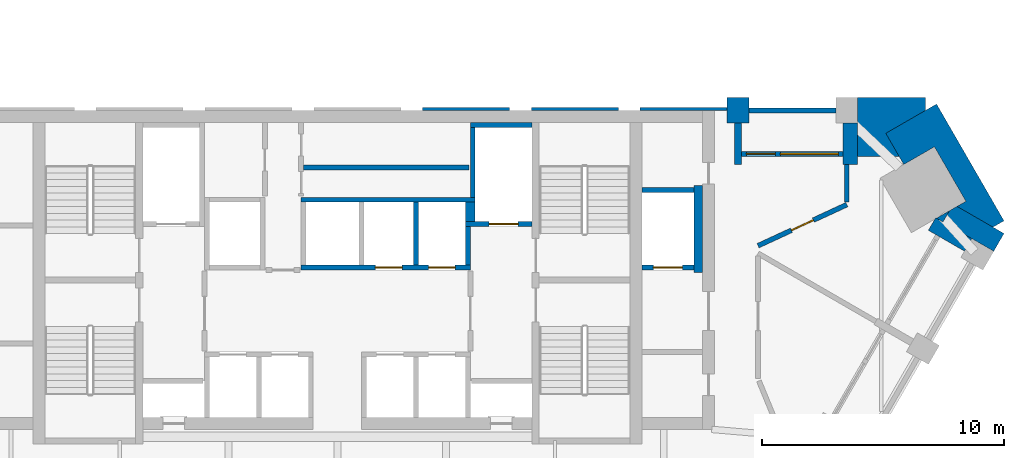
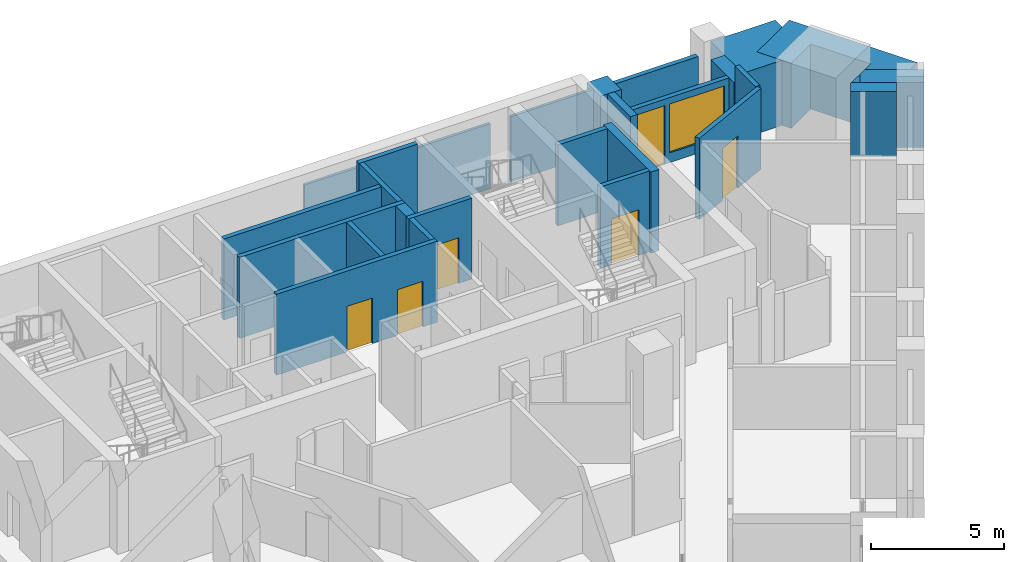
# One storey, part 8 of 10: 27 walls, 6 doors, 1 window, 7 openings.
"""IFC4 building model written with IfcOpenShell, lengths in metres."""

from ifc_helpers import new_model, si_unit, direction, frame, frame_2d, origin, place, context, subcontext, project, spatial, polyline, rectangle, outline, extrude, material, layer, layer_set, type_object, element, fill, save


model = new_model("IFC4")

# Units and contexts
model_context = context("Model", 3, precision=1e-05, world=origin(), true_north=direction((0.0, 1.0)))
body_context = subcontext(model_context, "Body", "Model", "MODEL_VIEW")
ifc_project = project(units=[si_unit("LENGTHUNIT", "METRE"), si_unit("AREAUNIT", "SQUARE_METRE"), si_unit("VOLUMEUNIT", "CUBIC_METRE"), si_unit("PLANEANGLEUNIT", "RADIAN"), si_unit("MASSUNIT", "GRAM", prefix="KILO")], contexts=[model_context])

# Site, building, storey
site_placement = place(None, origin())
site = spatial("IfcSite", under=ifc_project, at=site_placement, CompositionType="ELEMENT")
building_placement = place(site_placement, origin())
building = spatial("IfcBuilding", under=site, at=building_placement, Name="Calabash Gate Tower", CompositionType="ELEMENT")
storey_placement = place(building_placement, frame((0.0, 0.0, 187.5)))
storey = spatial("IfcBuildingStorey", under=building, at=storey_placement, Name="L44", CompositionType="ELEMENT", Elevation=187.5)

# Walls
ifc_material_1 = material(Name="Terracotta brick masonry, exposed face", Category="masonry")
ifc_layer_1 = layer(ifc_material_1, 2.425048828125)
ifc_layer_set_1 = layer_set([ifc_layer_1], Name="Brick corner mass wall 2425")
wall_type_1 = type_object("IfcWallType", Name="Brick corner mass wall 2425", PredefinedType="SOLIDWALL", material=ifc_layer_set_1)
wall_1_placement = place(storey_placement, origin())
element("IfcWall", 1, at=wall_1_placement, inside=storey, type_object=wall_type_1, Name="Brick corner pier S12 3a", PredefinedType="SOLIDWALL", context=body_context, shape_type="SweptSolid", body=[
    extrude(outline(polyline([(25.05126953125, 14.434326171875), (27.1513671875, 13.221923828125), (27.576171875, 13.957763671875), (25.63134765625, 15.08056640625), (25.32080078125, 14.9013671875), (25.05126953125, 14.434326171875)])), origin(), (0.0, 0.0, 1.0), 3.0),
])
wall_2_placement = place(storey_placement, origin())
element("IfcWall", 2, at=wall_2_placement, inside=storey, type_object=wall_type_1, Name="Brick corner pier S12 3ba", PredefinedType="SOLIDWALL", context=body_context, shape_type="SweptSolid", body=[
    extrude(outline(polyline([(25.05126953125, 14.434326171875), (25.32080078125, 14.9013671875), (24.78173828125, 14.590087890625), (25.05126953125, 14.434326171875)])), origin(), (0.0, 0.0, 1.0), 3.0),
])
wall_3_placement = place(storey_placement, origin())
element("IfcWall", 3, at=wall_3_placement, inside=storey, type_object=wall_type_1, Name="Brick corner pier S12 3bb", PredefinedType="SOLIDWALL", context=body_context, shape_type="SweptSolid", body=[
    extrude(outline(polyline([(23.430908203125, 16.8125), (24.69775390625, 17.5439453125), (25.997802734375, 15.292236328125), (25.63134765625, 15.08056640625), (27.12158203125, 14.22021484375), (27.576171875, 14.482666015625), (24.786376953125, 19.31494140625), (22.68603515625, 18.1025390625), (23.430908203125, 16.8125)])), origin(), (0.0, 0.0, 1.0), 3.0),
])
wall_4_placement = place(storey_placement, origin())
element("IfcWall", 4, at=wall_4_placement, inside=storey, type_object=wall_type_1, Name="Brick corner pier S12 3c", PredefinedType="SOLIDWALL", context=body_context, shape_type="SweptSolid", body=[
    extrude(outline(polyline([(21.521728515625, 18.528076171875), (21.521728515625, 17.152587890625), (23.234619140625, 17.152587890625), (22.68603515625, 18.1025390625), (24.33154296875, 19.052490234375), (24.33154296875, 19.57763671875), (21.52197265625, 19.57763671875), (21.52197265625, 18.528076171875), (21.521728515625, 18.528076171875)])), origin(), (0.0, 0.0, 1.0), 3.0),
])
ifc_material_2 = material(Name="Terracotta brick masonry, exposed face", Category="masonry")
ifc_layer_2 = layer(ifc_material_2, 1.050048828125)
ifc_layer_set_2 = layer_set([ifc_layer_2], Name="Brick end wall 1050")
wall_type_2 = type_object("IfcWallType", Name="Brick end wall 1050", PredefinedType="SOLIDWALL", material=ifc_layer_set_2)
wall_5_placement = place(storey_placement, origin())
element("IfcWall", 5, at=wall_5_placement, inside=storey, type_object=wall_type_2, Name="Brick pier S12 N6.1", PredefinedType="SOLIDWALL", context=body_context, shape_type="SweptSolid", body=[
    extrude(outline(polyline([(17.021728515625, 19.57763671875), (16.121826171875, 19.57763671875), (16.121826171875, 18.527587890625), (17.021728515625, 18.527587890625), (17.021728515625, 19.57763671875)])), origin(), (0.0, 0.0, 1.0), 3.0),
])
ifc_material_3 = material(Name="Terracotta brick masonry, exposed face", Category="masonry")
ifc_layer_3 = layer(ifc_material_3, 0.300048828125)
ifc_layer_set_3 = layer_set([ifc_layer_3], Name="Brick loggia cheek wall 300")
wall_type_3 = type_object("IfcWallType", Name="Brick loggia cheek wall 300", PredefinedType="SOLIDWALL", material=ifc_layer_set_3)
wall_6_placement = place(storey_placement, frame((26.09130859375, 13.487548828125, 0.0), z_axis=(0.0, 0.0, 1.0), x_axis=(-0.866029956157, 0.499992114976, 0.0)))
element("IfcWall", 6, at=wall_6_placement, inside=storey, type_object=wall_type_3, Name="Loggia cheek S12 SE4.8", PredefinedType="SOLIDWALL", context=body_context, shape_type="SweptSolid", body=[
    extrude(rectangle(XDim=1.72412109375, YDim=0.60009765625, at=frame_2d((0.862060546875, 0.0))), origin(), (0.0, 0.0, 1.0), 3.0),
])
wall_7_placement = place(storey_placement, origin())
element("IfcWall", 7, at=wall_7_placement, inside=storey, type_object=wall_type_3, Name="Loggia cheek S12 N6.0", PredefinedType="SOLIDWALL", context=body_context, shape_type="SweptSolid", body=[
    extrude(outline(polyline([(21.521728515625, 16.802490234375), (21.521728515625, 18.527587890625), (20.921875, 18.527587890625), (20.921875, 16.802490234375), (21.521728515625, 16.802490234375)])), origin(), (0.0, 0.0, 1.0), 3.0),
])
wall_8_placement = place(storey_placement, origin())
element("IfcWall", 8, at=wall_8_placement, inside=storey, type_object=wall_type_3, Name="Loggia cheek S12 N6.1", PredefinedType="SOLIDWALL", context=body_context, shape_type="SweptSolid", body=[
    extrude(outline(polyline([(16.421875, 18.527587890625), (16.421875, 16.802490234375), (16.721923828125, 16.802490234375), (16.721923828125, 18.527587890625), (16.421875, 18.527587890625)])), origin(), (0.0, 0.0, 1.0), 3.0),
])

# Wall, opening, door
ifc_material_4 = material(Name="Gypsum board on steel studs, mineral wool", Category="steel")
ifc_layer_4 = layer(ifc_material_4, 0.199951171875)
ifc_layer_set_4 = layer_set([ifc_layer_4], Name="Partition 200 gypsum board EI 60")
wall_type_4 = type_object("IfcWallType", Name="Partition 200 gypsum board EI 60", PredefinedType="PARTITIONING", material=ifc_layer_set_4)
wall_9_placement = place(storey_placement, frame((17.400390625, 13.4521484375, 0.0), z_axis=(0.0, 0.0, 1.0), x_axis=(0.907455404493, 0.420148412892, 0.0)))
wall_9 = element("IfcWall", 9, at=wall_9_placement, inside=storey, type_object=wall_type_4, Name="Partition", PredefinedType="PARTITIONING", context=body_context, shape_type="SweptSolid", body=[
    extrude(rectangle(XDim=4.046142578125, YDim=0.199951171875, at=frame_2d((2.02294921875, 0.0))), origin(), (0.0, 0.0, 1.0), 3.72998046875),
])
opening_1_placement = place(wall_9_placement, frame((1.52294921875, 0.0, 0.0)))
opening_1 = element("IfcOpeningElement", 10, at=opening_1_placement, cuts=wall_9, Name="Opening 42-44-010", PredefinedType="OPENING", context=body_context, shape_type="SweptSolid", body=[
    extrude(rectangle(XDim=1.0, YDim=2.39990234375, at=frame_2d((0.5, 1.199951171875))), frame((0.0, 0.10986328125, 0.0), z_axis=(0.0, -1.0, 0.0), x_axis=(1.0, 0.0, 0.0)), (0.0, 0.0, 1.0), 0.219970703125),
])
ifc_material_5 = material(Name="Painted timber door", Category="wood")
door_type_1 = type_object("IfcDoorType", Name="OD2 Glazed office door 1000x2400", OperationType="NOTDEFINED", PredefinedType="DOOR", material=ifc_material_5)
door_1_placement = place(opening_1_placement, origin())
door_1 = element("IfcDoor", 11, at=door_1_placement, inside=storey, type_object=door_type_1, Name="Glazed office door", OperationType="SINGLE_SWING_LEFT", OverallHeight=2.39990234375, OverallWidth=1.0, PredefinedType="DOOR", context=body_context, shape_type="SweptSolid", body=[
    extrude(rectangle(XDim=1.0, YDim=2.39990234375, at=frame_2d((0.5, 1.199951171875))), frame((0.0, 0.02490234375, 0.0), z_axis=(0.0, -1.0, 0.0), x_axis=(1.0, 0.0, 0.0)), (0.0, 0.0, 1.0), 0.050048828125),
])
fill(opening_1, door_1)

# Walls
wall_10_placement = place(storey_placement, frame((21.072021484375, 15.252197265625, 0.0), z_axis=(0.0, 0.0, 1.0), x_axis=(0.000314960614, 0.9999999504, 0.0)))
element("IfcWall", 12, at=wall_10_placement, inside=storey, type_object=wall_type_4, Name="Partition", PredefinedType="PARTITIONING", context=body_context, shape_type="SweptSolid", body=[
    extrude(rectangle(XDim=1.55029296875, YDim=0.199951171875, at=frame_2d((0.775146484375, 0.0))), origin(), (0.0, 0.0, 1.0), 3.72998046875),
])
ifc_material_6 = material(Name="Concrete C40/50", Category="concrete")
ifc_layer_5 = layer(ifc_material_6, 0.199951171875)
ifc_layer_set_5 = layer_set([ifc_layer_5], Name="Shaft wall 200 Concrete C40/50")
wall_type_5 = type_object("IfcWallType", Name="Shaft wall 200 Concrete C40/50", PredefinedType="SOLIDWALL", material=ifc_layer_set_5)
wall_11_placement = place(storey_placement, frame((14.925048828125, 12.3525390625, 0.0), z_axis=(0.0, 0.0, 1.0), x_axis=(0.0, 1.0, 0.0)))
element("IfcWall", 13, at=wall_11_placement, inside=storey, type_object=wall_type_5, Name="Shaft wall", PredefinedType="SOLIDWALL", context=body_context, shape_type="SweptSolid", body=[
    extrude(rectangle(XDim=3.60009765625, YDim=0.35009765625, at=frame_2d((1.800048828125, 0.0))), origin(), (0.0, 0.0, 1.0), 3.72998046875),
])

# Wall, openings, doors
wall_12_placement = place(storey_placement, frame((-1.5, 12.552490234375, 0.0), z_axis=(0.0, 0.0, 1.0), x_axis=(1.0, 0.0, 0.0)))
wall_12 = element("IfcWall", 14, at=wall_12_placement, inside=storey, type_object=wall_type_5, Name="Shaft wall", PredefinedType="SOLIDWALL", context=body_context, shape_type="SweptSolid", body=[
    extrude(rectangle(XDim=7.0, YDim=0.199951171875, at=frame_2d((3.5, 0.0))), origin(), (0.0, 0.0, 1.0), 3.72998046875),
])
opening_2_placement = place(wall_12_placement, frame((3.074951171875, 0.0, 0.0)))
opening_2 = element("IfcOpeningElement", 15, at=opening_2_placement, cuts=wall_12, Name="Opening LD-HR5", PredefinedType="OPENING", context=body_context, shape_type="SweptSolid", body=[
    extrude(rectangle(XDim=1.10009765625, YDim=2.10009765625, at=frame_2d((0.550048828125, 1.050048828125))), frame((0.0, 0.10986328125, 0.0), z_axis=(0.0, -1.0, 0.0), x_axis=(1.0, 0.0, 0.0)), (0.0, 0.0, 1.0), 0.219970703125),
])
opening_3_placement = place(wall_12_placement, frame((5.27490234375, 0.0, 0.0)))
opening_3 = element("IfcOpeningElement", 16, at=opening_3_placement, cuts=wall_12, Name="Opening LD-HR6", PredefinedType="OPENING", context=body_context, shape_type="SweptSolid", body=[
    extrude(rectangle(XDim=1.10009765625, YDim=2.10009765625, at=frame_2d((0.550048828125, 1.050048828125))), frame((0.0, 0.10986328125, 0.0), z_axis=(0.0, -1.0, 0.0), x_axis=(1.0, 0.0, 0.0)), (0.0, 0.0, 1.0), 0.219970703125),
])
ifc_material_7 = material(Name="Stainless steel sliding door leaves", Category="steel")
door_type_2 = type_object("IfcDoorType", Name="Lift landing door LS1 1100x2100 FD90", OperationType="DOUBLE_DOOR_SLIDING", PredefinedType="DOOR", material=ifc_material_7)
door_2_placement = place(opening_2_placement, origin())
door_2 = element("IfcDoor", 17, at=door_2_placement, inside=storey, type_object=door_type_2, Name="Lift landing door HR5", OperationType="DOUBLE_DOOR_SLIDING", OverallHeight=2.10009765625, OverallWidth=1.10009765625, PredefinedType="DOOR", context=body_context, shape_type="SweptSolid", body=[
    extrude(rectangle(XDim=1.10009765625, YDim=2.10009765625, at=frame_2d((0.550048828125, 1.050048828125))), frame((0.0, 0.02490234375, 0.0), z_axis=(0.0, -1.0, 0.0), x_axis=(1.0, 0.0, 0.0)), (0.0, 0.0, 1.0), 0.050048828125),
])
fill(opening_2, door_2)
door_3_placement = place(opening_3_placement, origin())
door_3 = element("IfcDoor", 18, at=door_3_placement, inside=storey, type_object=door_type_2, Name="Lift landing door HR6", OperationType="DOUBLE_DOOR_SLIDING", OverallHeight=2.10009765625, OverallWidth=1.10009765625, PredefinedType="DOOR", context=body_context, shape_type="SweptSolid", body=[
    extrude(rectangle(XDim=1.10009765625, YDim=2.10009765625, at=frame_2d((0.550048828125, 1.050048828125))), frame((0.0, 0.02490234375, 0.0), z_axis=(0.0, -1.0, 0.0), x_axis=(1.0, 0.0, 0.0)), (0.0, 0.0, 1.0), 0.050048828125),
])
fill(opening_3, door_3)

# Wall, opening, door
wall_13_placement = place(storey_placement, frame((12.60009765625, 12.552490234375, 0.0), z_axis=(0.0, 0.0, 1.0), x_axis=(1.0, 0.0, 0.0)))
wall_13 = element("IfcWall", 19, at=wall_13_placement, inside=storey, type_object=wall_type_5, Name="Shaft wall", PredefinedType="SOLIDWALL", context=body_context, shape_type="SweptSolid", body=[
    extrude(rectangle(XDim=2.14990234375, YDim=0.199951171875, at=frame_2d((1.074951171875, 0.0))), origin(), (0.0, 0.0, 1.0), 3.72998046875),
])
opening_4_placement = place(wall_13_placement, frame((0.47509765625, 0.0, 0.0)))
opening_4 = element("IfcOpeningElement", 20, at=opening_4_placement, cuts=wall_13, Name="Opening LD-SL1", PredefinedType="OPENING", context=body_context, shape_type="SweptSolid", body=[
    extrude(rectangle(XDim=1.199951171875, YDim=2.10009765625, at=frame_2d((0.60009765625, 1.050048828125))), frame((0.0, 0.10986328125, 0.0), z_axis=(0.0, -1.0, 0.0), x_axis=(1.0, 0.0, 0.0)), (0.0, 0.0, 1.0), 0.219970703125),
])
ifc_material_8 = material(Name="Stainless steel sliding door leaves", Category="steel")
door_type_3 = type_object("IfcDoorType", Name="Lift landing door LS3 1200x2100 FD90", OperationType="DOUBLE_DOOR_SLIDING", PredefinedType="DOOR", material=ifc_material_8)
door_4_placement = place(opening_4_placement, origin())
door_4 = element("IfcDoor", 21, at=door_4_placement, inside=storey, type_object=door_type_3, Name="Lift landing door SL1", OperationType="DOUBLE_DOOR_SLIDING", OverallHeight=2.10009765625, OverallWidth=1.199951171875, PredefinedType="DOOR", context=body_context, shape_type="SweptSolid", body=[
    extrude(rectangle(XDim=1.199951171875, YDim=2.10009765625, at=frame_2d((0.60009765625, 1.050048828125))), frame((0.0, 0.02490234375, 0.0), z_axis=(0.0, -1.0, 0.0), x_axis=(1.0, 0.0, 0.0)), (0.0, 0.0, 1.0), 0.050048828125),
])
fill(opening_4, door_4)

# Walls
wall_14_placement = place(storey_placement, frame((3.25, 12.652587890625, 0.0), z_axis=(0.0, 0.0, 1.0), x_axis=(0.0, 1.0, 0.0)))
element("IfcWall", 22, at=wall_14_placement, inside=storey, type_object=wall_type_5, Name="Shaft wall", PredefinedType="SOLIDWALL", context=body_context, shape_type="SweptSolid", body=[
    extrude(rectangle(XDim=2.60009765625, YDim=0.199951171875, at=frame_2d((1.300048828125, 0.0))), origin(), (0.0, 0.0, 1.0), 3.72998046875),
])
wall_15_placement = place(storey_placement, frame((5.39990234375, 12.652587890625, 0.0), z_axis=(0.0, 0.0, 1.0), x_axis=(0.0, 1.0, 0.0)))
element("IfcWall", 23, at=wall_15_placement, inside=storey, type_object=wall_type_5, Name="Shaft wall", PredefinedType="SOLIDWALL", context=body_context, shape_type="SweptSolid", body=[
    extrude(rectangle(XDim=1.60009765625, YDim=0.199951171875, at=frame_2d((0.800048828125, 0.0))), origin(), (0.0, 0.0, 1.0), 3.72998046875),
])

# Wall, opening, door
wall_16_placement = place(storey_placement, frame((5.300048828125, 14.3525390625, 0.0), z_axis=(0.0, 0.0, 1.0), x_axis=(1.0, 0.0, 0.0)))
wall_16 = element("IfcWall", 24, at=wall_16_placement, inside=storey, type_object=wall_type_5, Name="Shaft wall", PredefinedType="SOLIDWALL", context=body_context, shape_type="SweptSolid", body=[
    extrude(rectangle(XDim=2.75, YDim=0.199951171875, at=frame_2d((1.375, 0.0))), origin(), (0.0, 0.0, 1.0), 3.72998046875),
])
opening_5_placement = place(wall_16_placement, frame((0.97509765625, 0.0, 0.0)))
opening_5 = element("IfcOpeningElement", 25, at=opening_5_placement, cuts=wall_16, Name="Opening LD-FF2", PredefinedType="OPENING", context=body_context, shape_type="SweptSolid", body=[
    extrude(rectangle(XDim=1.199951171875, YDim=2.10009765625, at=frame_2d((0.60009765625, 1.050048828125))), frame((0.0, 0.10986328125, 0.0), z_axis=(0.0, -1.0, 0.0), x_axis=(1.0, 0.0, 0.0)), (0.0, 0.0, 1.0), 0.219970703125),
])
door_5_placement = place(opening_5_placement, origin())
door_5 = element("IfcDoor", 26, at=door_5_placement, inside=storey, type_object=door_type_3, Name="Lift landing door FF2", OperationType="DOUBLE_DOOR_SLIDING", OverallHeight=2.10009765625, OverallWidth=1.199951171875, PredefinedType="DOOR", context=body_context, shape_type="SweptSolid", body=[
    extrude(rectangle(XDim=1.199951171875, YDim=2.10009765625, at=frame_2d((0.60009765625, 1.050048828125))), frame((0.0, 0.02490234375, 0.0), z_axis=(0.0, -1.0, 0.0), x_axis=(1.0, 0.0, 0.0)), (0.0, 0.0, 1.0), 0.050048828125),
])
fill(opening_5, door_5)

# Walls
wall_17_placement = place(storey_placement, frame((5.5, 14.45263671875, 0.0), z_axis=(0.0, 0.0, 1.0), x_axis=(0.0, 1.0, 0.0)))
element("IfcWall", 27, at=wall_17_placement, inside=storey, type_object=wall_type_5, Name="Shaft wall", PredefinedType="SOLIDWALL", context=body_context, shape_type="SweptSolid", body=[
    extrude(rectangle(XDim=0.800048828125, YDim=0.39990234375, at=frame_2d((0.39990234375, 0.0))), origin(), (0.0, 0.0, 1.0), 3.72998046875),
])
wall_18_placement = place(storey_placement, frame((-1.5, 15.3525390625, 0.0), z_axis=(0.0, 0.0, 1.0), x_axis=(1.0, 0.0, 0.0)))
element("IfcWall", 28, at=wall_18_placement, inside=storey, type_object=wall_type_5, Name="Shaft wall", PredefinedType="SOLIDWALL", context=body_context, shape_type="SweptSolid", body=[
    extrude(rectangle(XDim=7.199951171875, YDim=0.199951171875, at=frame_2d((3.60009765625, 0.0))), origin(), (0.0, 0.0, 1.0), 3.72998046875),
])
wall_19_placement = place(storey_placement, frame((5.60009765625, 15.45263671875, 0.0), z_axis=(0.0, 0.0, 1.0), x_axis=(0.0, 1.0, 0.0)))
element("IfcWall", 29, at=wall_19_placement, inside=storey, type_object=wall_type_5, Name="Shaft wall", PredefinedType="SOLIDWALL", context=body_context, shape_type="SweptSolid", body=[
    extrude(rectangle(XDim=2.89990234375, YDim=0.199951171875, at=frame_2d((1.449951171875, 0.0))), origin(), (0.0, 0.0, 1.0), 3.72998046875),
])
wall_20_placement = place(storey_placement, frame((12.60009765625, 15.752685546875, 0.0), z_axis=(0.0, 0.0, 1.0), x_axis=(1.0, 0.0, 0.0)))
element("IfcWall", 30, at=wall_20_placement, inside=storey, type_object=wall_type_5, Name="Shaft wall", PredefinedType="SOLIDWALL", context=body_context, shape_type="SweptSolid", body=[
    extrude(rectangle(XDim=2.14990234375, YDim=0.199951171875, at=frame_2d((1.074951171875, 0.0))), origin(), (0.0, 0.0, 1.0), 3.72998046875),
])
wall_21_placement = place(storey_placement, frame((-1.39990234375, 16.692626953125, 0.0), z_axis=(0.0, 0.0, 1.0), x_axis=(1.0, 0.0, 0.0)))
element("IfcWall", 31, at=wall_21_placement, inside=storey, type_object=wall_type_5, Name="Shaft wall", PredefinedType="SOLIDWALL", context=body_context, shape_type="SweptSolid", body=[
    extrude(rectangle(XDim=6.849853515625, YDim=0.199951171875, at=frame_2d((3.4248046875, 0.0))), origin(), (0.0, 0.0, 1.0), 3.72998046875),
])
wall_22_placement = place(storey_placement, frame((5.5, 18.45263671875, 0.0), z_axis=(0.0, 0.0, 1.0), x_axis=(1.0, 0.0, 0.0)))
element("IfcWall", 32, at=wall_22_placement, inside=storey, type_object=wall_type_5, Name="Shaft wall", PredefinedType="SOLIDWALL", context=body_context, shape_type="SweptSolid", body=[
    extrude(rectangle(XDim=2.550048828125, YDim=0.199951171875, at=frame_2d((1.27490234375, 0.0))), origin(), (0.0, 0.0, 1.0), 3.72998046875),
])
ifc_material_9 = material(Name="Terracotta brick masonry, perforated", Category="masonry")
ifc_layer_6 = layer(ifc_material_9, 0.1201171875)
ifc_layer_set_6 = layer_set([ifc_layer_6], Name="Terracotta jaali cladding B 120")
wall_type_6 = type_object("IfcWallType", Name="Terracotta jaali cladding B 120", PredefinedType="SOLIDWALL", material=ifc_layer_set_6)
wall_23_placement = place(storey_placement, origin())
element("IfcWall", 33, at=wall_23_placement, inside=storey, type_object=wall_type_6, Name="Jaali cladding S12 N6.3", PredefinedType="SOLIDWALL", context=body_context, shape_type="SweptSolid", body=[
    extrude(outline(polyline([(8.021728515625, 19.172607421875), (8.021728515625, 19.052490234375), (11.621826171875, 19.052490234375), (11.621826171875, 19.172607421875), (8.021728515625, 19.172607421875)])), origin(), (0.0, 0.0, 1.0), 3.0),
])
ifc_material_10 = material(Name="Terracotta brick masonry, perforated", Category="masonry")
ifc_layer_7 = layer(ifc_material_10, 0.199951171875)
ifc_layer_set_7 = layer_set([ifc_layer_7], Name="Terracotta jaali screen B")
wall_type_7 = type_object("IfcWallType", Name="Terracotta jaali screen B", PredefinedType="SOLIDWALL", material=ifc_layer_set_7)
wall_24_placement = place(storey_placement, frame((20.621826171875, 19.052490234375, 0.0), z_axis=(0.0, 0.0, 1.0), x_axis=(-1.0, 0.0, 0.0)))
element("IfcWall", 34, at=wall_24_placement, inside=storey, type_object=wall_type_7, Name="SCREEN B S12 N6.1", PredefinedType="SOLIDWALL", context=body_context, shape_type="SweptSolid", body=[
    extrude(rectangle(XDim=3.60009765625, YDim=0.199951171875, at=frame_2d((1.800048828125, 0.0))), origin(), (0.0, 0.0, 1.0), 3.0),
])
ifc_material_11 = material(Name="Terracotta louvre blades in an aluminium frame", Category="masonry")
ifc_layer_8 = layer(ifc_material_11, 0.1201171875)
ifc_layer_set_8 = layer_set([ifc_layer_8], Name="Terracotta vent louvre cladding 120")
wall_type_8 = type_object("IfcWallType", Name="Terracotta vent louvre cladding 120", PredefinedType="ELEMENTEDWALL", material=ifc_layer_set_8)
wall_25_placement = place(storey_placement, origin())
element("IfcWall", 35, at=wall_25_placement, inside=storey, type_object=wall_type_8, Name="Vent louvre cladding S12 N6.2", PredefinedType="ELEMENTEDWALL", context=body_context, shape_type="SweptSolid", body=[
    extrude(outline(polyline([(12.521728515625, 19.172607421875), (12.521728515625, 19.052490234375), (16.121337890625, 19.052490234375), (16.121337890625, 19.172607421875), (12.521728515625, 19.172607421875)])), origin(), (0.0, 0.0, 1.0), 3.0),
])
wall_26_placement = place(storey_placement, origin())
element("IfcWall", 36, at=wall_26_placement, inside=storey, type_object=wall_type_8, Name="Vent louvre cladding S12 N6.4", PredefinedType="ELEMENTEDWALL", context=body_context, shape_type="SweptSolid", body=[
    extrude(outline(polyline([(3.521728515625, 19.172607421875), (3.521728515625, 19.052490234375), (7.121826171875, 19.052490234375), (7.121826171875, 19.172607421875), (3.521728515625, 19.172607421875)])), origin(), (0.0, 0.0, 1.0), 3.0),
])

# Wall, openings, door, window
ifc_material_12 = material(Name="Aluminium framed window wall with insulated spandrel", Category="aluminium")
ifc_layer_9 = layer(ifc_material_12, 0.199951171875)
ifc_layer_set_9 = layer_set([ifc_layer_9], Name="Window wall 200")
wall_type_9 = type_object("IfcWallType", Name="Window wall 200", PredefinedType="ELEMENTEDWALL", material=ifc_layer_set_9)
wall_27_placement = place(storey_placement, frame((20.921875, 17.25244140625, 0.0), z_axis=(0.0, 0.0, 1.0), x_axis=(-1.0, 0.0, 0.0)))
wall_27 = element("IfcWall", 37, at=wall_27_placement, inside=storey, type_object=wall_type_9, Name="Window wall S12 N6.1", PredefinedType="ELEMENTEDWALL", context=body_context, shape_type="SweptSolid", body=[
    extrude(rectangle(XDim=4.199951171875, YDim=0.199951171875, at=frame_2d((2.10009765625, 0.0))), origin(), (0.0, 0.0, 1.0), 3.0),
])
opening_6_placement = place(wall_27_placement, frame((0.199951171875, 0.0, 0.449951171875)))
opening_6 = element("IfcOpeningElement", 38, at=opening_6_placement, cuts=wall_27, Name="Opening OW1", PredefinedType="OPENING", context=body_context, shape_type="SweptSolid", body=[
    extrude(rectangle(XDim=2.39990234375, YDim=2.25, at=frame_2d((1.199951171875, 1.125))), frame((0.0, 0.10986328125, 0.0), z_axis=(0.0, -1.0, 0.0), x_axis=(1.0, 0.0, 0.0)), (0.0, 0.0, 1.0), 0.219970703125),
])
opening_7_placement = place(wall_27_placement, frame((2.800048828125, 0.0, 0.0)))
opening_7 = element("IfcOpeningElement", 39, at=opening_7_placement, cuts=wall_27, Name="Opening O4-019", PredefinedType="OPENING", context=body_context, shape_type="SweptSolid", body=[
    extrude(rectangle(XDim=1.199951171875, YDim=2.699951171875, at=frame_2d((0.60009765625, 1.35009765625))), frame((0.0, 0.10986328125, 0.0), z_axis=(0.0, -1.0, 0.0), x_axis=(1.0, 0.0, 0.0)), (0.0, 0.0, 1.0), 0.219970703125),
])
ifc_material_13 = material(Name="Anodised aluminium frame, bronze finish, impact-rated laminated clear glazing", Category="aluminium")
door_type_4 = type_object("IfcDoorType", Name="Loggia door DO1 1200x2700", OperationType="SLIDING_TO_LEFT", PredefinedType="DOOR", material=ifc_material_13)
door_6_placement = place(opening_7_placement, origin())
door_6 = element("IfcDoor", 40, at=door_6_placement, inside=storey, type_object=door_type_4, Name="Loggia door S12 N6.1", OperationType="SINGLE_SWING_LEFT", OverallHeight=2.699951171875, OverallWidth=1.199951171875, PredefinedType="DOOR", context=body_context, shape_type="SweptSolid", body=[
    extrude(rectangle(XDim=1.199951171875, YDim=2.699951171875, at=frame_2d((0.60009765625, 1.35009765625))), frame((0.0, 0.02490234375, 0.0), z_axis=(0.0, -1.0, 0.0), x_axis=(1.0, 0.0, 0.0)), (0.0, 0.0, 1.0), 0.050048828125),
])
fill(opening_7, door_6)
ifc_material_14 = material(Name="Anodised aluminium frame, bronze finish, impact-rated laminated clear glazing", Category="aluminium")
window_type = type_object("IfcWindowType", Name="Window OW1 2400x2250", PartitioningType="DOUBLE_PANEL_VERTICAL", PredefinedType="WINDOW", material=ifc_material_14)
window_placement = place(opening_6_placement, origin())
window = element("IfcWindow", 41, at=window_placement, inside=storey, type_object=window_type, Name="Window OW1 S12 N6.1", OverallHeight=2.25, OverallWidth=2.39990234375, PartitioningType="SINGLE_PANEL", PredefinedType="WINDOW", context=body_context, shape_type="SweptSolid", body=[
    extrude(rectangle(XDim=2.39990234375, YDim=2.25, at=frame_2d((1.199951171875, 1.125))), frame((0.0, 0.030029296875, 0.0), z_axis=(0.0, -1.0, 0.0), x_axis=(1.0, 0.0, 0.0)), (0.0, 0.0, 1.0), 0.06005859375),
])
fill(opening_6, window)

save(model, "model.ifc")
